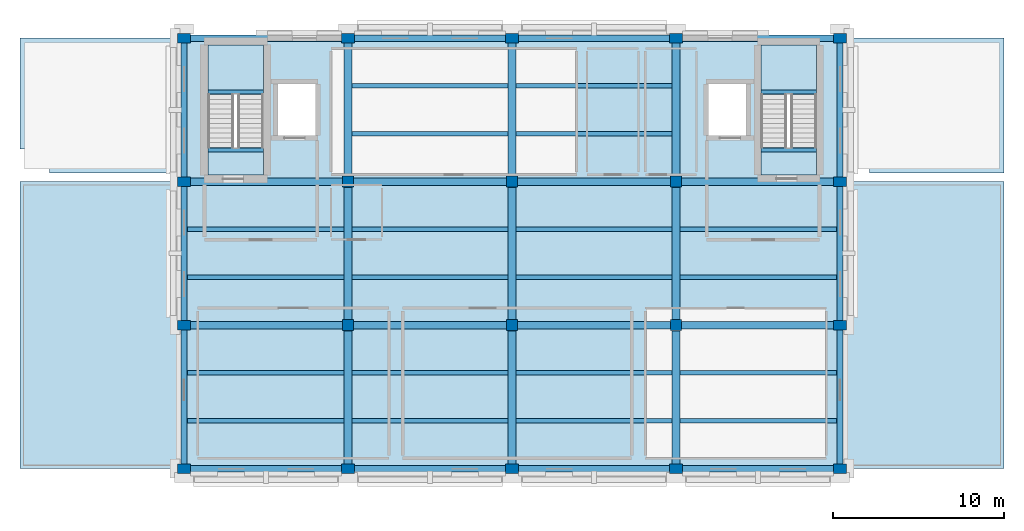
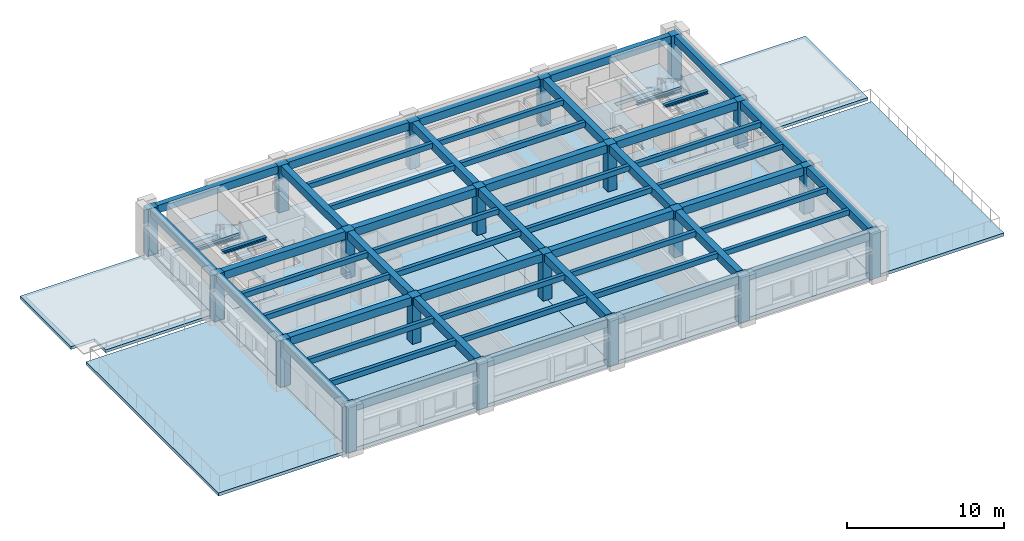
# One storey, part 1 of 7: 55 beams, 20 columns, 10 slabs, 2 elements without a shape of their own.
"""IFC4 building model written with IfcOpenShell, lengths in metres."""

from ifc_helpers import new_model, si_unit, direction, frame, origin, origin_2d, place, context, subcontext, project, spatial, polyline, rectangle, i_section, outline, extrude, material, layer, layer_set, material_profile, profile_set, type_object, element, aggregate, save


model = new_model("IFC4")

# Units and contexts
model_context = context("Model", 3, precision=1e-05, world=origin(), true_north=direction((0.0, 1.0)))
body_context = subcontext(model_context, "Body", "Model", "MODEL_VIEW")
ifc_project = project(units=[si_unit("LENGTHUNIT", "METRE"), si_unit("AREAUNIT", "SQUARE_METRE"), si_unit("VOLUMEUNIT", "CUBIC_METRE"), si_unit("PLANEANGLEUNIT", "RADIAN"), si_unit("MASSUNIT", "GRAM", prefix="KILO")], contexts=[model_context])

# Site, building, storey
site_placement = place(None, origin())
site = spatial("IfcSite", under=ifc_project, at=site_placement, CompositionType="ELEMENT")
building_placement = place(site_placement, origin())
building = spatial("IfcBuilding", under=site, at=building_placement, Name="Bempovik Park Faculty of Sciences", CompositionType="ELEMENT")
storey_placement = place(building_placement, frame((0.0, 0.0, 38.39990234375)))
storey = spatial("IfcBuildingStorey", under=building, at=storey_placement, Name="L09", CompositionType="ELEMENT", Elevation=38.39990234375)

# Columns
ifc_material_1 = material(Name="Concrete C40/50", Category="concrete")
ifc_material_profile_1 = material_profile(ifc_material_1, rectangle(XDim=0.75, YDim=0.550048828125, at=origin_2d()), Name="RC 750x550")
ifc_profile_set_1 = profile_set([ifc_material_profile_1], Name="Concrete C40/50")
column_type_1 = type_object("IfcColumnType", Name="C-43 RC 750x550", PredefinedType="COLUMN", material=ifc_profile_set_1)
for number, where, z_axis, x_axis, name in (
    (1, (69.60009765625, 94.199951171875, 0.0), (0.0, 0.0, 1.0), (1.0, 0.0, 0.0), "L09 Structural Column (69.6,94.2)"),
    (2, (69.60009765625, 102.60009765625, 0.0), (0.0, 0.0, 1.0), (1.0, 0.0, 0.0), "L09 Structural Column (69.6,102.6)"),
    (3, (69.60009765625, 111.0, 0.0), (0.0, 0.0, 1.0), (1.0, 0.0, 0.0), "L09 Structural Column (69.6,111.0)"),
    (4, (69.60009765625, 119.39990234375, 0.0), (0.0, 0.0, 1.0), (1.0, 0.0, 0.0), "L09 Structural Column (69.6,119.4)"),
    (5, (79.199951171875, 94.199951171875, 0.0), (0.0, 0.0, 1.0), (1.0, 0.0, 0.0), "L09 Structural Column (79.2,94.2)"),
    (6, (79.199951171875, 119.39990234375, 0.0), (0.0, 0.0, 1.0), (1.0, 0.0, 0.0), "L09 Structural Column (79.2,119.4)"),
    (7, (88.800048828125, 94.199951171875, 0.0), (0.0, 0.0, 1.0), (1.0, 0.0, 0.0), "L09 Structural Column (88.8,94.2)"),
    (8, (88.800048828125, 119.39990234375, 0.0), (0.0, 0.0, 1.0), (1.0, 0.0, 0.0), "L09 Structural Column (88.8,119.4)"),
    (9, (98.39990234375, 94.199951171875, 0.0), (0.0, 0.0, 1.0), (1.0, 0.0, 0.0), "L09 Structural Column (98.4,94.2)"),
    (10, (98.39990234375, 119.39990234375, 0.0), (0.0, 0.0, 1.0), (1.0, 0.0, 0.0), "L09 Structural Column (98.4,119.4)"),
    (11, (108.0, 94.199951171875, 0.0), (0.0, 0.0, 1.0), (1.0, 0.0, 0.0), "L09 Structural Column (108.0,94.2)"),
    (12, (108.0, 102.60009765625, 0.0), (0.0, 0.0, 1.0), (1.0, 0.0, 0.0), "L09 Structural Column (108.0,102.6)"),
    (13, (108.0, 111.0, 0.0), (0.0, 0.0, 1.0), (1.0, 0.0, 0.0), "L09 Structural Column (108.0,111.0)"),
    (14, (108.0, 119.39990234375, 0.0), (0.0, 0.0, 1.0), (1.0, 0.0, 0.0), "L09 Structural Column (108.0,119.4)"),
):
    element("IfcColumn", number, at=place(storey_placement, frame(where, z_axis=z_axis, x_axis=x_axis)), inside=storey, type_object=column_type_1, Name=name, PredefinedType="COLUMN", context=body_context, shape_type="SweptSolid", body=[
        extrude(rectangle(XDim=0.75, YDim=0.550048828125, at=origin_2d()), origin(), (0.0, 0.0, 1.0), 3.6201171875),
    ])
ifc_material_profile_2 = material_profile(ifc_material_1, rectangle(XDim=0.64990234375, YDim=0.64990234375, at=origin_2d()), Name="RC 650x650")
ifc_profile_set_2 = profile_set([ifc_material_profile_2], Name="Concrete C40/50")
column_type_2 = type_object("IfcColumnType", Name="C-82 RC 650x650", PredefinedType="COLUMN", material=ifc_profile_set_2)
for number, where, z_axis, x_axis, name in (
    (15, (79.199951171875, 102.60009765625, 0.0), (0.0, 0.0, 1.0), (1.0, 0.0, 0.0), "L09 Structural Column (79.2,102.6)"),
    (16, (79.199951171875, 111.0, 0.0), (0.0, 0.0, 1.0), (1.0, 0.0, 0.0), "L09 Structural Column (79.2,111.0)"),
    (17, (88.800048828125, 102.60009765625, 0.0), (0.0, 0.0, 1.0), (1.0, 0.0, 0.0), "L09 Structural Column (88.8,102.6)"),
    (18, (88.800048828125, 111.0, 0.0), (0.0, 0.0, 1.0), (1.0, 0.0, 0.0), "L09 Structural Column (88.8,111.0)"),
    (19, (98.39990234375, 102.60009765625, 0.0), (0.0, 0.0, 1.0), (1.0, 0.0, 0.0), "L09 Structural Column (98.4,102.6)"),
    (20, (98.39990234375, 111.0, 0.0), (0.0, 0.0, 1.0), (1.0, 0.0, 0.0), "L09 Structural Column (98.4,111.0)"),
):
    element("IfcColumn", number, at=place(storey_placement, frame(where, z_axis=z_axis, x_axis=x_axis)), inside=storey, type_object=column_type_2, Name=name, PredefinedType="COLUMN", context=body_context, shape_type="SweptSolid", body=[
        extrude(rectangle(XDim=0.64990234375, YDim=0.64990234375, at=origin_2d()), origin(), (0.0, 0.0, 1.0), 3.6201171875),
    ])

# Beams
ifc_material_2 = material(Name="Concrete C35/45", Category="concrete")
ifc_material_profile_3 = material_profile(ifc_material_2, rectangle(XDim=0.3798828125, YDim=0.60009765625, at=origin_2d()), Name="RC 380x600")
ifc_profile_set_3 = profile_set([ifc_material_profile_3], Name="Concrete C35/45")
beam_type_1 = type_object("IfcBeamType", Name="B-032 RC 380x600", PredefinedType="SPANDREL", material=ifc_profile_set_3)
beam_1_placement = place(storey_placement, frame((69.98095703125, 94.199951171875, 3.320068359375), z_axis=(1.0, 0.0, 0.0), x_axis=(0.0, 1.0, 0.0)))
element("IfcBeam", 21, at=beam_1_placement, inside=storey, type_object=beam_type_1, Name="L09 Beam X (69.6-79.2, y=94.2)", PredefinedType="SPANDREL", context=body_context, shape_type="SweptSolid", body=[
    extrude(rectangle(XDim=0.3798828125, YDim=0.60009765625, at=origin_2d()), origin(), (0.0, 0.0, 1.0), 8.838134765625),
])
beam_2_placement = place(storey_placement, frame((79.5810546875, 94.199951171875, 3.320068359375), z_axis=(1.0, 0.0, 0.0), x_axis=(0.0, 1.0, 0.0)))
element("IfcBeam", 22, at=beam_2_placement, inside=storey, type_object=beam_type_1, Name="L09 Beam X (79.2-88.8, y=94.2)", PredefinedType="SPANDREL", context=body_context, shape_type="SweptSolid", body=[
    extrude(rectangle(XDim=0.3798828125, YDim=0.60009765625, at=origin_2d()), origin(), (0.0, 0.0, 1.0), 8.837890625),
])
beam_3_placement = place(storey_placement, frame((89.180908203125, 94.199951171875, 3.320068359375), z_axis=(1.0, 0.0, 0.0), x_axis=(0.0, 1.0, 0.0)))
element("IfcBeam", 23, at=beam_3_placement, inside=storey, type_object=beam_type_1, Name="L09 Beam X (88.8-98.4, y=94.2)", PredefinedType="SPANDREL", context=body_context, shape_type="SweptSolid", body=[
    extrude(rectangle(XDim=0.3798828125, YDim=0.60009765625, at=origin_2d()), origin(), (0.0, 0.0, 1.0), 8.838134765625),
])
beam_4_placement = place(storey_placement, frame((98.781005859375, 94.199951171875, 3.320068359375), z_axis=(1.0, 0.0, 0.0), x_axis=(0.0, 1.0, 0.0)))
element("IfcBeam", 24, at=beam_4_placement, inside=storey, type_object=beam_type_1, Name="L09 Beam X (98.4-108.0, y=94.2)", PredefinedType="SPANDREL", context=body_context, shape_type="SweptSolid", body=[
    extrude(rectangle(XDim=0.3798828125, YDim=0.60009765625, at=origin_2d()), origin(), (0.0, 0.0, 1.0), 8.837890625),
])
beam_5_placement = place(storey_placement, frame((69.98095703125, 119.39990234375, 3.320068359375), z_axis=(1.0, 0.0, 0.0), x_axis=(0.0, 1.0, 0.0)))
element("IfcBeam", 25, at=beam_5_placement, inside=storey, type_object=beam_type_1, Name="L09 Beam X (69.6-79.2, y=119.4)", PredefinedType="SPANDREL", context=body_context, shape_type="SweptSolid", body=[
    extrude(rectangle(XDim=0.3798828125, YDim=0.60009765625, at=origin_2d()), origin(), (0.0, 0.0, 1.0), 8.838134765625),
])
beam_6_placement = place(storey_placement, frame((79.5810546875, 119.39990234375, 3.320068359375), z_axis=(1.0, 0.0, 0.0), x_axis=(0.0, 1.0, 0.0)))
element("IfcBeam", 26, at=beam_6_placement, inside=storey, type_object=beam_type_1, Name="L09 Beam X (79.2-88.8, y=119.4)", PredefinedType="SPANDREL", context=body_context, shape_type="SweptSolid", body=[
    extrude(rectangle(XDim=0.3798828125, YDim=0.60009765625, at=origin_2d()), origin(), (0.0, 0.0, 1.0), 8.837890625),
])
beam_7_placement = place(storey_placement, frame((89.180908203125, 119.39990234375, 3.320068359375), z_axis=(1.0, 0.0, 0.0), x_axis=(0.0, 1.0, 0.0)))
element("IfcBeam", 27, at=beam_7_placement, inside=storey, type_object=beam_type_1, Name="L09 Beam X (88.8-98.4, y=119.4)", PredefinedType="SPANDREL", context=body_context, shape_type="SweptSolid", body=[
    extrude(rectangle(XDim=0.3798828125, YDim=0.60009765625, at=origin_2d()), origin(), (0.0, 0.0, 1.0), 8.838134765625),
])
beam_8_placement = place(storey_placement, frame((98.781005859375, 119.39990234375, 3.320068359375), z_axis=(1.0, 0.0, 0.0), x_axis=(0.0, 1.0, 0.0)))
element("IfcBeam", 28, at=beam_8_placement, inside=storey, type_object=beam_type_1, Name="L09 Beam X (98.4-108.0, y=119.4)", PredefinedType="SPANDREL", context=body_context, shape_type="SweptSolid", body=[
    extrude(rectangle(XDim=0.3798828125, YDim=0.60009765625, at=origin_2d()), origin(), (0.0, 0.0, 1.0), 8.837890625),
])
beam_9_placement = place(storey_placement, frame((69.60009765625, 94.48095703125, 3.320068359375), z_axis=(0.0, 1.0, 0.0), x_axis=(-1.0, 0.0, 0.0)))
element("IfcBeam", 29, at=beam_9_placement, inside=storey, type_object=beam_type_1, Name="L09 Beam Y (x=69.6, 94.2-102.6)", PredefinedType="SPANDREL", context=body_context, shape_type="SweptSolid", body=[
    extrude(rectangle(XDim=0.3798828125, YDim=0.60009765625, at=origin_2d()), origin(), (0.0, 0.0, 1.0), 7.838134765625),
])
for number, where, z_axis, x_axis, name in (
    (30, (69.60009765625, 102.881103515625, 3.320068359375), (0.0, 1.0, 0.0), (-1.0, 0.0, 0.0), "L09 Beam Y (x=69.6, 102.6-111.0)"),
    (31, (69.60009765625, 111.281005859375, 3.320068359375), (0.0, 1.0, 0.0), (-1.0, 0.0, 0.0), "L09 Beam Y (x=69.6, 111.0-119.4)"),
):
    element("IfcBeam", number, at=place(storey_placement, frame(where, z_axis=z_axis, x_axis=x_axis)), inside=storey, type_object=beam_type_1, Name=name, PredefinedType="SPANDREL", context=body_context, shape_type="SweptSolid", body=[
        extrude(rectangle(XDim=0.3798828125, YDim=0.60009765625, at=origin_2d()), origin(), (0.0, 0.0, 1.0), 7.837890625),
    ])
beam_10_placement = place(storey_placement, frame((108.0, 94.48095703125, 3.320068359375), z_axis=(0.0, 1.0, 0.0), x_axis=(-1.0, 0.0, 0.0)))
element("IfcBeam", 32, at=beam_10_placement, inside=storey, type_object=beam_type_1, Name="L09 Beam Y (x=108.0, 94.2-102.6)", PredefinedType="SPANDREL", context=body_context, shape_type="SweptSolid", body=[
    extrude(rectangle(XDim=0.3798828125, YDim=0.60009765625, at=origin_2d()), origin(), (0.0, 0.0, 1.0), 7.838134765625),
])
for number, where, z_axis, x_axis, name in (
    (33, (108.0, 102.881103515625, 3.320068359375), (0.0, 1.0, 0.0), (-1.0, 0.0, 0.0), "L09 Beam Y (x=108.0, 102.6-111.0)"),
    (34, (108.0, 111.281005859375, 3.320068359375), (0.0, 1.0, 0.0), (-1.0, 0.0, 0.0), "L09 Beam Y (x=108.0, 111.0-119.4)"),
):
    element("IfcBeam", number, at=place(storey_placement, frame(where, z_axis=z_axis, x_axis=x_axis)), inside=storey, type_object=beam_type_1, Name=name, PredefinedType="SPANDREL", context=body_context, shape_type="SweptSolid", body=[
        extrude(rectangle(XDim=0.3798828125, YDim=0.60009765625, at=origin_2d()), origin(), (0.0, 0.0, 1.0), 7.837890625),
    ])
ifc_material_profile_4 = material_profile(ifc_material_2, rectangle(XDim=0.260009765625, YDim=0.39990234375, at=origin_2d()), Name="RC 260x400")
ifc_profile_set_4 = profile_set([ifc_material_profile_4], Name="Concrete C35/45")
beam_type_2 = type_object("IfcBeamType", Name="B-063 RC 260x400", PredefinedType="JOIST", material=ifc_profile_set_4)
for number, where, z_axis, x_axis, name in (
    (35, (69.7958984375, 97.0, 3.420166015625), (1.0, 0.0, 0.0), (0.0, 1.0, 0.0), "L09 Secondary Joist (69.6-79.2, y=97.00)"),
    (36, (69.7958984375, 99.800048828125, 3.420166015625), (1.0, 0.0, 0.0), (0.0, 1.0, 0.0), "L09 Secondary Joist (69.6-79.2, y=99.80)"),
    (37, (69.7958984375, 105.39990234375, 3.420166015625), (1.0, 0.0, 0.0), (0.0, 1.0, 0.0), "L09 Secondary Joist (69.6-79.2, y=105.40)"),
    (38, (69.7958984375, 108.199951171875, 3.420166015625), (1.0, 0.0, 0.0), (0.0, 1.0, 0.0), "L09 Secondary Joist (69.6-79.2, y=108.20)"),
):
    element("IfcBeam", number, at=place(storey_placement, frame(where, z_axis=z_axis, x_axis=x_axis)), inside=storey, type_object=beam_type_2, Name=name, PredefinedType="JOIST", context=body_context, shape_type="SweptSolid", body=[
        extrude(rectangle(XDim=0.260009765625, YDim=0.39990234375, at=origin_2d()), origin(), (0.0, 0.0, 1.0), 9.173095703125),
    ])
for number, where, z_axis, x_axis, name in (
    (39, (79.430908203125, 97.0, 3.420166015625), (1.0, 0.0, 0.0), (0.0, 1.0, 0.0), "L09 Secondary Joist (79.2-88.8, y=97.00)"),
    (40, (79.430908203125, 99.800048828125, 3.420166015625), (1.0, 0.0, 0.0), (0.0, 1.0, 0.0), "L09 Secondary Joist (79.2-88.8, y=99.80)"),
    (41, (79.430908203125, 105.39990234375, 3.420166015625), (1.0, 0.0, 0.0), (0.0, 1.0, 0.0), "L09 Secondary Joist (79.2-88.8, y=105.40)"),
    (42, (79.430908203125, 108.199951171875, 3.420166015625), (1.0, 0.0, 0.0), (0.0, 1.0, 0.0), "L09 Secondary Joist (79.2-88.8, y=108.20)"),
    (43, (79.430908203125, 113.800048828125, 3.420166015625), (1.0, 0.0, 0.0), (0.0, 1.0, 0.0), "L09 Secondary Joist (79.2-88.8, y=113.80)"),
    (44, (79.430908203125, 116.60009765625, 3.420166015625), (1.0, 0.0, 0.0), (0.0, 1.0, 0.0), "L09 Secondary Joist (79.2-88.8, y=116.60)"),
):
    element("IfcBeam", number, at=place(storey_placement, frame(where, z_axis=z_axis, x_axis=x_axis)), inside=storey, type_object=beam_type_2, Name=name, PredefinedType="JOIST", context=body_context, shape_type="SweptSolid", body=[
        extrude(rectangle(XDim=0.260009765625, YDim=0.39990234375, at=origin_2d()), origin(), (0.0, 0.0, 1.0), 9.13818359375),
    ])
for number, where, z_axis, x_axis, name in (
    (45, (89.031005859375, 97.0, 3.420166015625), (1.0, 0.0, 0.0), (0.0, 1.0, 0.0), "L09 Secondary Joist (88.8-98.4, y=97.00)"),
    (46, (89.031005859375, 99.800048828125, 3.420166015625), (1.0, 0.0, 0.0), (0.0, 1.0, 0.0), "L09 Secondary Joist (88.8-98.4, y=99.80)"),
    (47, (89.031005859375, 105.39990234375, 3.420166015625), (1.0, 0.0, 0.0), (0.0, 1.0, 0.0), "L09 Secondary Joist (88.8-98.4, y=105.40)"),
    (48, (89.031005859375, 108.199951171875, 3.420166015625), (1.0, 0.0, 0.0), (0.0, 1.0, 0.0), "L09 Secondary Joist (88.8-98.4, y=108.20)"),
    (49, (89.031005859375, 113.800048828125, 3.420166015625), (1.0, 0.0, 0.0), (0.0, 1.0, 0.0), "L09 Secondary Joist (88.8-98.4, y=113.80)"),
    (50, (89.031005859375, 116.60009765625, 3.420166015625), (1.0, 0.0, 0.0), (0.0, 1.0, 0.0), "L09 Secondary Joist (88.8-98.4, y=116.60)"),
):
    element("IfcBeam", number, at=place(storey_placement, frame(where, z_axis=z_axis, x_axis=x_axis)), inside=storey, type_object=beam_type_2, Name=name, PredefinedType="JOIST", context=body_context, shape_type="SweptSolid", body=[
        extrude(rectangle(XDim=0.260009765625, YDim=0.39990234375, at=origin_2d()), origin(), (0.0, 0.0, 1.0), 9.137939453125),
    ])
for number, where, z_axis, x_axis, name in (
    (51, (98.631103515625, 97.0, 3.420166015625), (1.0, 0.0, 0.0), (0.0, 1.0, 0.0), "L09 Secondary Joist (98.4-108.0, y=97.00)"),
    (52, (98.631103515625, 99.800048828125, 3.420166015625), (1.0, 0.0, 0.0), (0.0, 1.0, 0.0), "L09 Secondary Joist (98.4-108.0, y=99.80)"),
    (53, (98.631103515625, 105.39990234375, 3.420166015625), (1.0, 0.0, 0.0), (0.0, 1.0, 0.0), "L09 Secondary Joist (98.4-108.0, y=105.40)"),
    (54, (98.631103515625, 108.199951171875, 3.420166015625), (1.0, 0.0, 0.0), (0.0, 1.0, 0.0), "L09 Secondary Joist (98.4-108.0, y=108.20)"),
):
    element("IfcBeam", number, at=place(storey_placement, frame(where, z_axis=z_axis, x_axis=x_axis)), inside=storey, type_object=beam_type_2, Name=name, PredefinedType="JOIST", context=body_context, shape_type="SweptSolid", body=[
        extrude(rectangle(XDim=0.260009765625, YDim=0.39990234375, at=origin_2d()), origin(), (0.0, 0.0, 1.0), 9.1728515625),
    ])
ifc_material_3 = material(Name="Steel S355", Category="steel")
ifc_material_profile_5 = material_profile(ifc_material_3, i_section(OverallWidth=0.239990234375, OverallDepth=0.22998046875, WebThickness=0.007568359375, FlangeThickness=0.011962890625, at=origin_2d()), Name="HEA 240")
ifc_profile_set_5 = profile_set([ifc_material_profile_5], Name="Steel S355")
beam_type_3 = type_object("IfcBeamType", Name="B-070 HEA 240", PredefinedType="BEAM", material=ifc_profile_set_5)
for number, where, z_axis, x_axis, name in (
    (55, (71.006103515625, 116.24365234375, 1.635009765625), (1.0, 0.0, 0.0), (0.0, 1.0, 0.0), "L09 ST-1 Half-Landing Trimmer Beam"),
    (56, (71.006103515625, 112.85009765625, 3.505126953125), (1.0, 0.0, 0.0), (0.0, 1.0, 0.0), "L10 ST-1 Floor Landing Trimmer Beam"),
    (57, (103.381103515625, 116.24365234375, 1.635009765625), (1.0, 0.0, 0.0), (0.0, 1.0, 0.0), "L09 ST-2 Half-Landing Trimmer Beam"),
    (58, (103.381103515625, 112.85009765625, 3.505126953125), (1.0, 0.0, 0.0), (0.0, 1.0, 0.0), "L10 ST-2 Floor Landing Trimmer Beam"),
):
    element("IfcBeam", number, at=place(storey_placement, frame(where, z_axis=z_axis, x_axis=x_axis)), inside=storey, type_object=beam_type_3, Name=name, PredefinedType="BEAM", context=body_context, shape_type="SweptSolid", body=[
        extrude(i_section(OverallWidth=0.239990234375, OverallDepth=0.22998046875, WebThickness=0.007568359375, FlangeThickness=0.011962890625, at=origin_2d()), origin(), (0.0, 0.0, 1.0), 3.23779296875),
    ])
ifc_material_profile_6 = material_profile(ifc_material_2, rectangle(XDim=0.449951171875, YDim=0.6201171875, at=origin_2d()), Name="RC 450x620")
ifc_profile_set_6 = profile_set([ifc_material_profile_6], Name="Concrete C35/45")
beam_type_4 = type_object("IfcBeamType", Name="B-114 RC 450x620", PredefinedType="BEAM", material=ifc_profile_set_6)
beam_11_placement = place(storey_placement, frame((69.98095703125, 102.60009765625, 3.31005859375), z_axis=(1.0, 0.0, 0.0), x_axis=(0.0, 1.0, 0.0)))
element("IfcBeam", 59, at=beam_11_placement, inside=storey, type_object=beam_type_4, Name="L09 Beam X (69.6-79.2, y=102.6)", PredefinedType="BEAM", context=body_context, shape_type="SweptSolid", body=[
    extrude(rectangle(XDim=0.449951171875, YDim=0.6201171875, at=origin_2d()), origin(), (0.0, 0.0, 1.0), 8.887939453125),
])
for number, where, z_axis, x_axis, name in (
    (60, (79.531005859375, 102.60009765625, 3.31005859375), (1.0, 0.0, 0.0), (0.0, 1.0, 0.0), "L09 Beam X (79.2-88.8, y=102.6)"),
    (61, (89.131103515625, 102.60009765625, 3.31005859375), (1.0, 0.0, 0.0), (0.0, 1.0, 0.0), "L09 Beam X (88.8-98.4, y=102.6)"),
):
    element("IfcBeam", number, at=place(storey_placement, frame(where, z_axis=z_axis, x_axis=x_axis)), inside=storey, type_object=beam_type_4, Name=name, PredefinedType="BEAM", context=body_context, shape_type="SweptSolid", body=[
        extrude(rectangle(XDim=0.449951171875, YDim=0.6201171875, at=origin_2d()), origin(), (0.0, 0.0, 1.0), 8.93798828125),
    ])
for number, where, z_axis, x_axis, name in (
    (62, (98.73095703125, 102.60009765625, 3.31005859375), (1.0, 0.0, 0.0), (0.0, 1.0, 0.0), "L09 Beam X (98.4-108.0, y=102.6)"),
    (63, (69.98095703125, 111.0, 3.31005859375), (1.0, 0.0, 0.0), (0.0, 1.0, 0.0), "L09 Beam X (69.6-79.2, y=111.0)"),
):
    element("IfcBeam", number, at=place(storey_placement, frame(where, z_axis=z_axis, x_axis=x_axis)), inside=storey, type_object=beam_type_4, Name=name, PredefinedType="BEAM", context=body_context, shape_type="SweptSolid", body=[
        extrude(rectangle(XDim=0.449951171875, YDim=0.6201171875, at=origin_2d()), origin(), (0.0, 0.0, 1.0), 8.887939453125),
    ])
for number, where, z_axis, x_axis, name in (
    (64, (79.531005859375, 111.0, 3.31005859375), (1.0, 0.0, 0.0), (0.0, 1.0, 0.0), "L09 Beam X (79.2-88.8, y=111.0)"),
    (65, (89.131103515625, 111.0, 3.31005859375), (1.0, 0.0, 0.0), (0.0, 1.0, 0.0), "L09 Beam X (88.8-98.4, y=111.0)"),
):
    element("IfcBeam", number, at=place(storey_placement, frame(where, z_axis=z_axis, x_axis=x_axis)), inside=storey, type_object=beam_type_4, Name=name, PredefinedType="BEAM", context=body_context, shape_type="SweptSolid", body=[
        extrude(rectangle(XDim=0.449951171875, YDim=0.6201171875, at=origin_2d()), origin(), (0.0, 0.0, 1.0), 8.93798828125),
    ])
beam_12_placement = place(storey_placement, frame((98.73095703125, 111.0, 3.31005859375), z_axis=(1.0, 0.0, 0.0), x_axis=(0.0, 1.0, 0.0)))
element("IfcBeam", 66, at=beam_12_placement, inside=storey, type_object=beam_type_4, Name="L09 Beam X (98.4-108.0, y=111.0)", PredefinedType="BEAM", context=body_context, shape_type="SweptSolid", body=[
    extrude(rectangle(XDim=0.449951171875, YDim=0.6201171875, at=origin_2d()), origin(), (0.0, 0.0, 1.0), 8.887939453125),
])
beam_13_placement = place(storey_placement, frame((79.199951171875, 94.48095703125, 3.31005859375), z_axis=(0.0, 1.0, 0.0), x_axis=(-1.0, 0.0, 0.0)))
element("IfcBeam", 67, at=beam_13_placement, inside=storey, type_object=beam_type_4, Name="L09 Beam Y (x=79.2, 94.2-102.6)", PredefinedType="BEAM", context=body_context, shape_type="SweptSolid", body=[
    extrude(rectangle(XDim=0.449951171875, YDim=0.6201171875, at=origin_2d()), origin(), (0.0, 0.0, 1.0), 7.7880859375),
])
beam_14_placement = place(storey_placement, frame((79.199951171875, 102.930908203125, 3.31005859375), z_axis=(0.0, 1.0, 0.0), x_axis=(-1.0, 0.0, 0.0)))
element("IfcBeam", 68, at=beam_14_placement, inside=storey, type_object=beam_type_4, Name="L09 Beam Y (x=79.2, 102.6-111.0)", PredefinedType="BEAM", context=body_context, shape_type="SweptSolid", body=[
    extrude(rectangle(XDim=0.449951171875, YDim=0.6201171875, at=origin_2d()), origin(), (0.0, 0.0, 1.0), 7.738037109375),
])
beam_15_placement = place(storey_placement, frame((79.199951171875, 111.3310546875, 3.31005859375), z_axis=(0.0, 1.0, 0.0), x_axis=(-1.0, 0.0, 0.0)))
element("IfcBeam", 69, at=beam_15_placement, inside=storey, type_object=beam_type_4, Name="L09 Beam Y (x=79.2, 111.0-119.4)", PredefinedType="BEAM", context=body_context, shape_type="SweptSolid", body=[
    extrude(rectangle(XDim=0.449951171875, YDim=0.6201171875, at=origin_2d()), origin(), (0.0, 0.0, 1.0), 7.787841796875),
])
beam_16_placement = place(storey_placement, frame((88.800048828125, 94.48095703125, 3.31005859375), z_axis=(0.0, 1.0, 0.0), x_axis=(-1.0, 0.0, 0.0)))
element("IfcBeam", 70, at=beam_16_placement, inside=storey, type_object=beam_type_4, Name="L09 Beam Y (x=88.8, 94.2-102.6)", PredefinedType="BEAM", context=body_context, shape_type="SweptSolid", body=[
    extrude(rectangle(XDim=0.449951171875, YDim=0.6201171875, at=origin_2d()), origin(), (0.0, 0.0, 1.0), 7.7880859375),
])
beam_17_placement = place(storey_placement, frame((88.800048828125, 102.930908203125, 3.31005859375), z_axis=(0.0, 1.0, 0.0), x_axis=(-1.0, 0.0, 0.0)))
element("IfcBeam", 71, at=beam_17_placement, inside=storey, type_object=beam_type_4, Name="L09 Beam Y (x=88.8, 102.6-111.0)", PredefinedType="BEAM", context=body_context, shape_type="SweptSolid", body=[
    extrude(rectangle(XDim=0.449951171875, YDim=0.6201171875, at=origin_2d()), origin(), (0.0, 0.0, 1.0), 7.738037109375),
])
beam_18_placement = place(storey_placement, frame((88.800048828125, 111.3310546875, 3.31005859375), z_axis=(0.0, 1.0, 0.0), x_axis=(-1.0, 0.0, 0.0)))
element("IfcBeam", 72, at=beam_18_placement, inside=storey, type_object=beam_type_4, Name="L09 Beam Y (x=88.8, 111.0-119.4)", PredefinedType="BEAM", context=body_context, shape_type="SweptSolid", body=[
    extrude(rectangle(XDim=0.449951171875, YDim=0.6201171875, at=origin_2d()), origin(), (0.0, 0.0, 1.0), 7.787841796875),
])
beam_19_placement = place(storey_placement, frame((98.39990234375, 94.48095703125, 3.31005859375), z_axis=(0.0, 1.0, 0.0), x_axis=(-1.0, 0.0, 0.0)))
element("IfcBeam", 73, at=beam_19_placement, inside=storey, type_object=beam_type_4, Name="L09 Beam Y (x=98.4, 94.2-102.6)", PredefinedType="BEAM", context=body_context, shape_type="SweptSolid", body=[
    extrude(rectangle(XDim=0.449951171875, YDim=0.6201171875, at=origin_2d()), origin(), (0.0, 0.0, 1.0), 7.7880859375),
])
beam_20_placement = place(storey_placement, frame((98.39990234375, 102.930908203125, 3.31005859375), z_axis=(0.0, 1.0, 0.0), x_axis=(-1.0, 0.0, 0.0)))
element("IfcBeam", 74, at=beam_20_placement, inside=storey, type_object=beam_type_4, Name="L09 Beam Y (x=98.4, 102.6-111.0)", PredefinedType="BEAM", context=body_context, shape_type="SweptSolid", body=[
    extrude(rectangle(XDim=0.449951171875, YDim=0.6201171875, at=origin_2d()), origin(), (0.0, 0.0, 1.0), 7.738037109375),
])
beam_21_placement = place(storey_placement, frame((98.39990234375, 111.3310546875, 3.31005859375), z_axis=(0.0, 1.0, 0.0), x_axis=(-1.0, 0.0, 0.0)))
element("IfcBeam", 75, at=beam_21_placement, inside=storey, type_object=beam_type_4, Name="L09 Beam Y (x=98.4, 111.0-119.4)", PredefinedType="BEAM", context=body_context, shape_type="SweptSolid", body=[
    extrude(rectangle(XDim=0.449951171875, YDim=0.6201171875, at=origin_2d()), origin(), (0.0, 0.0, 1.0), 7.787841796875),
])

# Slabs
ifc_layer_1 = layer(ifc_material_2, 0.239990234375)
ifc_layer_set_1 = layer_set([ifc_layer_1], Name="Concrete C35/45")
slab_type_1 = type_object("IfcSlabType", Name="S-27 Slab 240mm", PredefinedType="FLOOR", material=ifc_layer_set_1)
slab_1_placement = place(storey_placement, frame((0.0, 0.0, -0.239990234375)))
element("IfcSlab", 76, at=slab_1_placement, inside=storey, type_object=slab_type_1, Name="L09 West Research Setback Terrace Slab", PredefinedType="FLOOR", context=body_context, shape_type="SweptSolid", body=[
    extrude(outline(polyline([(60.0, 94.199951171875), (69.60009765625, 94.199951171875), (69.60009765625, 111.0), (60.0, 111.0), (60.0, 94.199951171875)])), origin(), (0.0, 0.0, 1.0), 0.239990234375),
])
slab_2_placement = place(storey_placement, frame((0.0, 0.0, -0.239990234375)))
element("IfcSlab", 77, at=slab_2_placement, inside=storey, type_object=slab_type_1, Name="L09 East Research Setback Terrace Slab", PredefinedType="FLOOR", context=body_context, shape_type="SweptSolid", body=[
    extrude(outline(polyline([(108.0, 94.199951171875), (117.60009765625, 94.199951171875), (117.60009765625, 111.0), (108.0, 111.0), (108.0, 94.199951171875)])), origin(), (0.0, 0.0, 1.0), 0.239990234375),
])
ifc_layer_2 = layer(ifc_material_2, 0.280029296875)
ifc_layer_set_2 = layer_set([ifc_layer_2], Name="Concrete C35/45")
slab_type_2 = type_object("IfcSlabType", Name="S-32 Slab 280mm", PredefinedType="FLOOR", material=ifc_layer_set_2)
slab_3_placement = place(storey_placement, frame((0.0, 0.0, -0.27978515625)))
element("IfcSlab", 78, at=slab_3_placement, inside=storey, type_object=slab_type_2, Name="L09 North Research Tower Floor Slab (W)", PredefinedType="FLOOR", context=body_context, shape_type="SweptSolid", body=[
    extrude(outline(polyline([(69.60009765625, 94.199951171875), (88.800048828125, 94.199951171875), (88.800048828125, 119.39990234375), (69.60009765625, 119.39990234375), (69.60009765625, 94.199951171875)]), holes=[polyline([(71.0, 111.375), (74.25, 111.375), (74.25, 119.0), (71.0, 119.0), (71.0, 111.375)]), polyline([(75.10009765625, 113.699951171875), (77.300048828125, 113.699951171875), (77.300048828125, 116.699951171875), (75.10009765625, 116.699951171875), (75.10009765625, 113.699951171875)])]), origin(), (0.0, 0.0, 1.0), 0.27978515625),
])
slab_4_placement = place(storey_placement, frame((0.0, 0.0, -0.27978515625)))
element("IfcSlab", 79, at=slab_4_placement, inside=storey, type_object=slab_type_2, Name="L09 North Research Tower Floor Slab (E)", PredefinedType="FLOOR", context=body_context, shape_type="SweptSolid", body=[
    extrude(outline(polyline([(88.800048828125, 94.199951171875), (108.0, 94.199951171875), (108.0, 119.39990234375), (88.800048828125, 119.39990234375), (88.800048828125, 94.199951171875)]), holes=[polyline([(103.375, 111.375), (106.625, 111.375), (106.625, 119.0), (103.375, 119.0), (103.375, 111.375)]), polyline([(100.300048828125, 113.699951171875), (102.5, 113.699951171875), (102.5, 116.699951171875), (100.300048828125, 116.699951171875), (100.300048828125, 113.699951171875)])]), origin(), (0.0, 0.0, 1.0), 0.27978515625),
])
ifc_layer_3 = layer(ifc_material_2, 0.219970703125)
ifc_layer_set_3 = layer_set([ifc_layer_3], Name="Concrete C35/45")
slab_type_3 = type_object("IfcSlabType", Name="S-38 Slab 220mm", PredefinedType="ROOF", material=ifc_layer_set_3)
slab_5_placement = place(storey_placement, frame((0.0, 0.0, -0.219970703125)))
element("IfcSlab", 80, at=slab_5_placement, inside=storey, type_object=slab_type_3, Name="Flat Concrete Roof Slab RF-V5-N9W", PredefinedType="ROOF", context=body_context, shape_type="SweptSolid", body=[
    extrude(outline(polyline([(61.72802734375, 111.5), (69.60009765625, 111.5), (69.60009765625, 119.39990234375), (60.0, 119.39990234375), (60.0, 112.922119140625), (61.72802734375, 112.922119140625), (61.72802734375, 111.5)])), origin(), (0.0, 0.0, 1.0), 0.219970703125),
])
slab_6_placement = place(storey_placement, frame((0.0, 0.0, -0.219970703125)))
element("IfcSlab", 81, at=slab_6_placement, inside=storey, type_object=slab_type_3, Name="Flat Concrete Roof Slab RF-V5-N9E", PredefinedType="ROOF", context=body_context, shape_type="SweptSolid", body=[
    extrude(outline(polyline([(109.72802734375, 111.5), (117.60009765625, 111.5), (117.60009765625, 119.39990234375), (108.0, 119.39990234375), (108.0, 112.922119140625), (109.72802734375, 112.922119140625), (109.72802734375, 111.5)])), origin(), (0.0, 0.0, 1.0), 0.219970703125),
])

# Stair, slab
stair_type = type_object("IfcStairType", Name="ST-17 Stair W1500 H3900", PredefinedType="HALF_TURN_STAIR", material=ifc_material_2)
stair_1_placement = place(storey_placement, origin())
stair_1 = element("IfcStair", 82, at=stair_1_placement, inside=storey, type_object=stair_type, Name="L09 ST-1 Dog-Leg Exit Stair", PredefinedType="HALF_TURN_STAIR")
ifc_layer_4 = layer(ifc_material_2, 0.199951171875)
ifc_layer_set_4 = layer_set([ifc_layer_4], Name="Concrete C35/45")
slab_type_4 = type_object("IfcSlabType", Name="S-41 Slab 200mm", PredefinedType="LANDING", material=ifc_layer_set_4)
slab_7_placement = place(storey_placement, frame((0.0, 0.0, 1.75)))
slab_7 = element("IfcSlab", 83, at=slab_7_placement, type_object=slab_type_4, Name="ST-17 landing 1", PredefinedType="LANDING", context=body_context, shape_type="SweptSolid", body=[
    extrude(outline(polyline([(74.25, 116.09375), (74.25, 119.0), (71.0, 119.0), (71.0, 116.09375), (74.25, 116.09375)])), origin(), (0.0, 0.0, 1.0), 0.2001953125),
])
aggregate(stair_1, [slab_7])

# Slab
slab_8_placement = place(storey_placement, frame((0.0, 0.0, -0.27978515625)))
element("IfcSlab", 84, at=slab_8_placement, inside=storey, type_object=slab_type_4, Name="L09 ST-1 Floor Landing Slab", PredefinedType="LANDING", context=body_context, shape_type="SweptSolid", body=[
    extrude(outline(polyline([(74.25, 111.375), (74.25, 113.0), (71.0, 113.0), (71.0, 111.375), (74.25, 111.375)])), origin(), (0.0, 0.0, 1.0), 0.27978515625),
])

# Stair, slab
stair_2_placement = place(storey_placement, origin())
stair_2 = element("IfcStair", 85, at=stair_2_placement, inside=storey, type_object=stair_type, Name="L09 ST-2 Dog-Leg Exit Stair", PredefinedType="HALF_TURN_STAIR")
slab_9_placement = place(storey_placement, frame((0.0, 0.0, 1.75)))
slab_9 = element("IfcSlab", 86, at=slab_9_placement, type_object=slab_type_4, Name="ST-17 landing 1", PredefinedType="LANDING", context=body_context, shape_type="SweptSolid", body=[
    extrude(outline(polyline([(106.625, 116.09375), (106.625, 119.0), (103.375, 119.0), (103.375, 116.09375), (106.625, 116.09375)])), origin(), (0.0, 0.0, 1.0), 0.2001953125),
])
aggregate(stair_2, [slab_9])

# Slab
slab_10_placement = place(storey_placement, frame((0.0, 0.0, -0.27978515625)))
element("IfcSlab", 87, at=slab_10_placement, inside=storey, type_object=slab_type_4, Name="L09 ST-2 Floor Landing Slab", PredefinedType="LANDING", context=body_context, shape_type="SweptSolid", body=[
    extrude(outline(polyline([(106.625, 111.375), (106.625, 113.0), (103.375, 113.0), (103.375, 111.375), (106.625, 111.375)])), origin(), (0.0, 0.0, 1.0), 0.27978515625),
])

save(model, "model.ifc")
